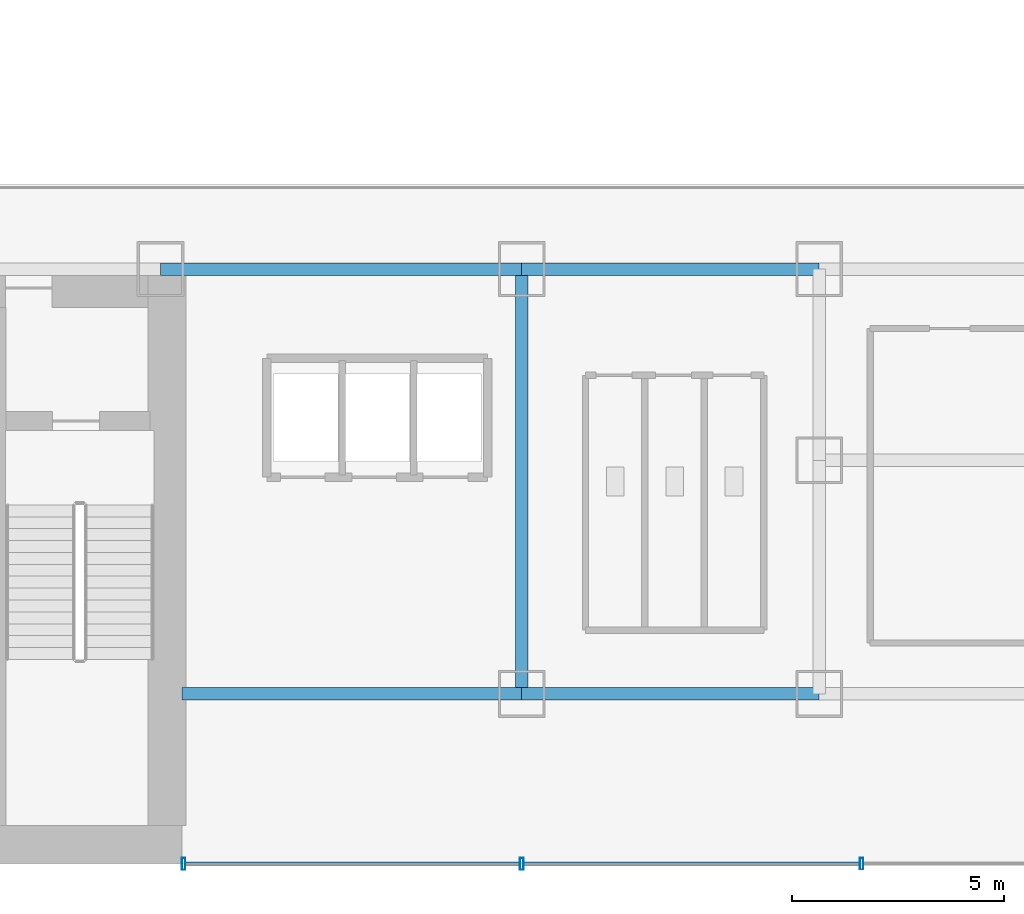
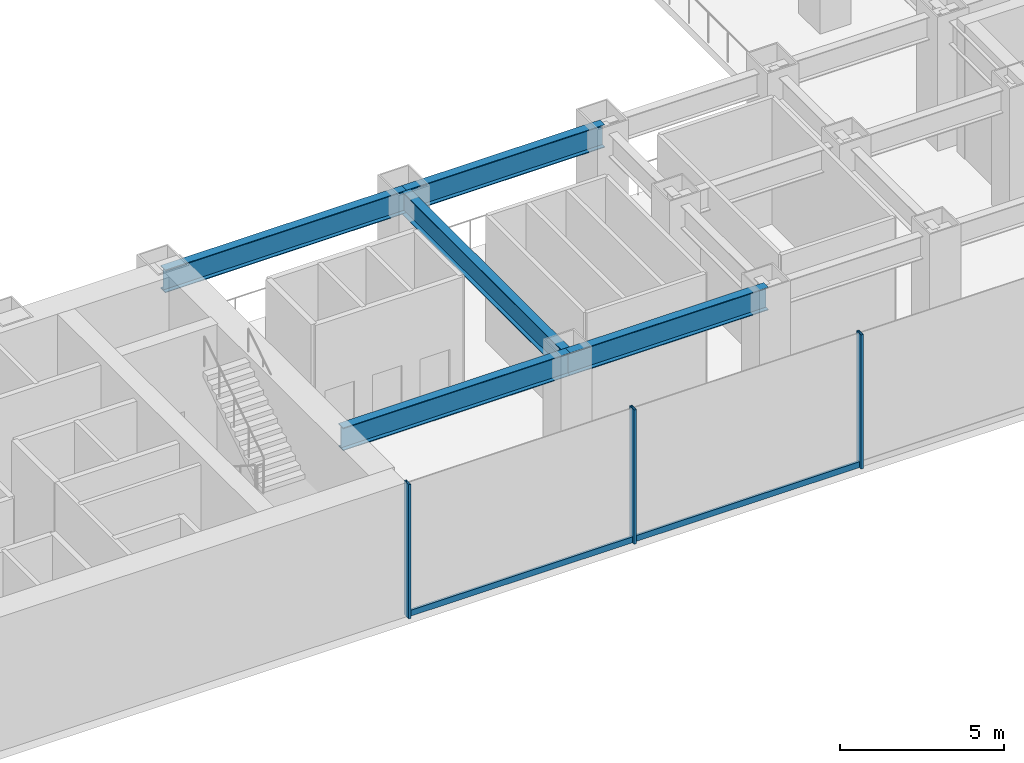
# One storey, part 9 of 39: 5 beams, 5 members, 1 element without a shape of its own.
"""IFC4 building model written with IfcOpenShell, lengths in metres."""

from ifc_helpers import new_model, si_unit, derived_unit, direction, frame, origin, origin_2d, place, context, subcontext, project, spatial, hollow_rectangle, i_section, extrude, source, transform, mapped, material, material_profile, profile_set, type_object, element, aggregate, save


model = new_model("IFC4")

# Units and contexts
model_context = context("Model", 3, precision=1e-05, world=origin(), true_north=direction((0.0, 1.0)))
body_context = subcontext(model_context, "Body", "Model", "MODEL_VIEW")
ifc_project = project(units=[si_unit("LENGTHUNIT", "METRE"), si_unit("AREAUNIT", "SQUARE_METRE"), si_unit("VOLUMEUNIT", "CUBIC_METRE"), si_unit("PLANEANGLEUNIT", "RADIAN"), si_unit("MASSUNIT", "GRAM", prefix="KILO"), derived_unit("THERMALTRANSMITTANCEUNIT", [(si_unit("POWERUNIT", "WATT"), 1), (si_unit("LENGTHUNIT", "METRE"), -2), (si_unit("THERMODYNAMICTEMPERATUREUNIT", "KELVIN"), -1)])], contexts=[model_context])

# Site, building, storey
site_placement = place(None, origin())
site = spatial("IfcSite", under=ifc_project, at=site_placement, CompositionType="ELEMENT")
building_placement = place(site_placement, origin())
building = spatial("IfcBuilding", under=site, at=building_placement, Name="Skarnbrae Concourse Arena and Tower", CompositionType="ELEMENT")
storey_placement = place(building_placement, frame((0.0, 0.0, 16.0)))
storey = spatial("IfcBuildingStorey", under=building, at=storey_placement, Name="L03", CompositionType="ELEMENT", Elevation=16.0)

# Beams
ifc_material_1 = material(Name="Steel CSA G40.21 350W", Category="steel")
ifc_material_profile_1 = material_profile(ifc_material_1, i_section(OverallWidth=0.2939453125, OverallDepth=0.85107421875, WebThickness=0.01611328125, FlangeThickness=0.02685546875, at=origin_2d()), Name="W840X226")
ifc_profile_set_1 = profile_set([ifc_material_profile_1], Name="Steel CSA G40.21 350W")
beam_type = type_object("IfcBeamType", Name="BM-GIRD-W840X226", PredefinedType="BEAM", material=ifc_profile_set_1)
shared_shape_1 = source(origin(), body_context, "Body", "SweptSolid", [
    extrude(i_section(OverallWidth=0.2939453125, OverallDepth=0.85107421875, WebThickness=0.01611328125, FlangeThickness=0.02685546875, at=origin_2d()), origin(), (0.0, 0.0, 1.0), 8.5),
])
beam_1_placement = place(storey_placement, frame((33.5, 14.0, 4.2744140625), z_axis=(1.0, 0.0, 0.0), x_axis=(0.0, 1.0, 0.0)))
element("IfcBeam", 1, at=beam_1_placement, inside=storey, type_object=beam_type, Name="L03 Podium south spine girder 6", PredefinedType="BEAM", context=body_context, shape_type="MappedRepresentation", body=[
    mapped(shared_shape_1, transform((0.0, 0.0, 0.0))),
])
shared_shape_2 = source(origin(), body_context, "Body", "SweptSolid", [
    extrude(i_section(OverallWidth=0.2939453125, OverallDepth=0.85107421875, WebThickness=0.01611328125, FlangeThickness=0.02685546875, at=origin_2d()), origin(), (0.0, 0.0, 1.0), 7.0),
])
for number, where, z_axis, x_axis, name in (
    (2, (42.0, 14.0, 4.2744140625), (1.0, 0.0, 0.0), (0.0, 1.0, 0.0), "L03 Podium south spine girder 7"),
    (3, (42.0, 4.0, 4.2744140625), (1.0, 0.0, 0.0), (0.0, 1.0, 0.0), "L03 South-east girder 2"),
):
    element("IfcBeam", number, at=place(storey_placement, frame(where, z_axis=z_axis, x_axis=x_axis)), inside=storey, type_object=beam_type, Name=name, PredefinedType="BEAM", context=body_context, shape_type="MappedRepresentation", body=[
        mapped(shared_shape_2, transform((0.0, 0.0, 0.0))),
    ])
shared_shape_3 = source(origin(), body_context, "Body", "SweptSolid", [
    extrude(i_section(OverallWidth=0.2939453125, OverallDepth=0.85107421875, WebThickness=0.01611328125, FlangeThickness=0.02685546875, at=origin_2d()), origin(), (0.0, 0.0, 1.0), 8.0),
])
beam_2_placement = place(storey_placement, frame((34.0, 4.0, 4.2744140625), z_axis=(1.0, 0.0, 0.0), x_axis=(0.0, 1.0, 0.0)))
element("IfcBeam", 4, at=beam_2_placement, inside=storey, type_object=beam_type, Name="L03 South-east girder 1", PredefinedType="BEAM", context=body_context, shape_type="MappedRepresentation", body=[
    mapped(shared_shape_3, transform((0.0, 0.0, 0.0))),
])
shared_shape_4 = source(origin(), body_context, "Body", "SweptSolid", [
    extrude(i_section(OverallWidth=0.2939453125, OverallDepth=0.85107421875, WebThickness=0.01611328125, FlangeThickness=0.02685546875, at=origin_2d()), origin(), (0.0, 0.0, 1.0), 10.0),
])
beam_3_placement = place(storey_placement, frame((42.0, 4.0, 4.2744140625), z_axis=(0.0, 1.0, 0.0), x_axis=(-1.0, 0.0, 0.0)))
element("IfcBeam", 5, at=beam_3_placement, inside=storey, type_object=beam_type, Name="L03 SE cross tie 42", PredefinedType="BEAM", context=body_context, shape_type="MappedRepresentation", body=[
    mapped(shared_shape_4, transform((0.0, 0.0, 0.0))),
])

# Curtain wall, members
ifc_material_2 = material(Name="Bronze anodised aluminium 6063-T6", Category="aluminium")
curtain_wall_type = type_object("IfcCurtainWallType", Name="CW-SYS-01-PODIUM", PredefinedType="USERDEFINED", material=ifc_material_2)
curtain_wall_placement = place(storey_placement, origin())
curtain_wall = element("IfcCurtainWall", 6, at=curtain_wall_placement, inside=storey, type_object=curtain_wall_type, Name="L03 Unitised curtain wall CW-L03-SE", ObjectType="UNITISED CURTAIN WALL", PredefinedType="USERDEFINED")
ifc_material_profile_2 = material_profile(ifc_material_2, hollow_rectangle(XDim=0.0849609375, YDim=0.280029296875, WallThickness=0.006103515625, at=origin_2d()), Name="ALU-MULL-85X280")
ifc_profile_set_2 = profile_set([ifc_material_profile_2], Name="Bronze anodised aluminium 6063-T6")
member_type_1 = type_object("IfcMemberType", Name="CWM-CW-01", PredefinedType="MULLION", material=ifc_profile_set_2)
shared_shape_5 = source(origin(), body_context, "Body", "SweptSolid", [
    extrude(hollow_rectangle(XDim=0.0849609375, YDim=0.280029296875, WallThickness=0.006103515625, at=origin_2d()), origin(), (0.0, 0.0, 1.0), 5.0),
])
member_1_placement = place(storey_placement, frame((34.04248046875, 0.0, 0.0), z_axis=(0.0, 0.0, 1.0), x_axis=(1.0, 0.0, 0.0)))
member_1 = element("IfcMember", 7, at=member_1_placement, type_object=member_type_1, Name="CW-L03-SE Mullion 1", PredefinedType="MULLION", context=body_context, shape_type="MappedRepresentation", body=[
    mapped(shared_shape_5, transform((0.0, 0.0, 0.0))),
])
member_2_placement = place(storey_placement, frame((42.0, 0.0, 0.0), z_axis=(0.0, 0.0, 1.0), x_axis=(1.0, 0.0, 0.0)))
member_2 = element("IfcMember", 8, at=member_2_placement, type_object=member_type_1, Name="CW-L03-SE Mullion 2", PredefinedType="MULLION", context=body_context, shape_type="MappedRepresentation", body=[
    mapped(shared_shape_5, transform((0.0, 0.0, 0.0))),
])
member_3_placement = place(storey_placement, frame((50.0, 0.0, 0.0), z_axis=(0.0, 0.0, 1.0), x_axis=(1.0, 0.0, 0.0)))
member_3 = element("IfcMember", 9, at=member_3_placement, type_object=member_type_1, Name="CW-L03-SE Mullion 3", PredefinedType="MULLION", context=body_context, shape_type="MappedRepresentation", body=[
    mapped(shared_shape_5, transform((0.0, 0.0, 0.0))),
])
ifc_material_profile_3 = material_profile(ifc_material_2, hollow_rectangle(XDim=0.0849609375, YDim=0.219970703125, WallThickness=0.006103515625, at=origin_2d()), Name="ALU-TRAN-85X220")
ifc_profile_set_3 = profile_set([ifc_material_profile_3], Name="Bronze anodised aluminium 6063-T6")
member_type_2 = type_object("IfcMemberType", Name="CWT-CW-01", PredefinedType="USERDEFINED", material=ifc_profile_set_3)
shared_shape_6 = source(origin(), body_context, "Body", "SweptSolid", [
    extrude(hollow_rectangle(XDim=0.0849609375, YDim=0.219970703125, WallThickness=0.006103515625, at=origin_2d()), origin(), (0.0, 0.0, 1.0), 7.87255859375),
])
member_4_placement = place(storey_placement, frame((34.0849609375, 0.0, 0.110107421875), z_axis=(1.0, 0.0, 0.0), x_axis=(0.0, 1.0, 0.0)))
member_4 = element("IfcMember", 10, at=member_4_placement, type_object=member_type_2, Name="CW-L03-SE Transom 1", ObjectType="TRANSOM", PredefinedType="USERDEFINED", context=body_context, shape_type="MappedRepresentation", body=[
    mapped(shared_shape_6, transform((0.0, 0.0, 0.0))),
])
shared_shape_7 = source(origin(), body_context, "Body", "SweptSolid", [
    extrude(hollow_rectangle(XDim=0.0849609375, YDim=0.219970703125, WallThickness=0.006103515625, at=origin_2d()), origin(), (0.0, 0.0, 1.0), 7.9150390625),
])
member_5_placement = place(storey_placement, frame((42.04248046875, 0.0, 0.110107421875), z_axis=(1.0, 0.0, 0.0), x_axis=(0.0, 1.0, 0.0)))
member_5 = element("IfcMember", 11, at=member_5_placement, type_object=member_type_2, Name="CW-L03-SE Transom 2", ObjectType="TRANSOM", PredefinedType="USERDEFINED", context=body_context, shape_type="MappedRepresentation", body=[
    mapped(shared_shape_7, transform((0.0, 0.0, 0.0))),
])
aggregate(curtain_wall, [member_1, member_2, member_3, member_4, member_5])

save(model, "model.ifc")
